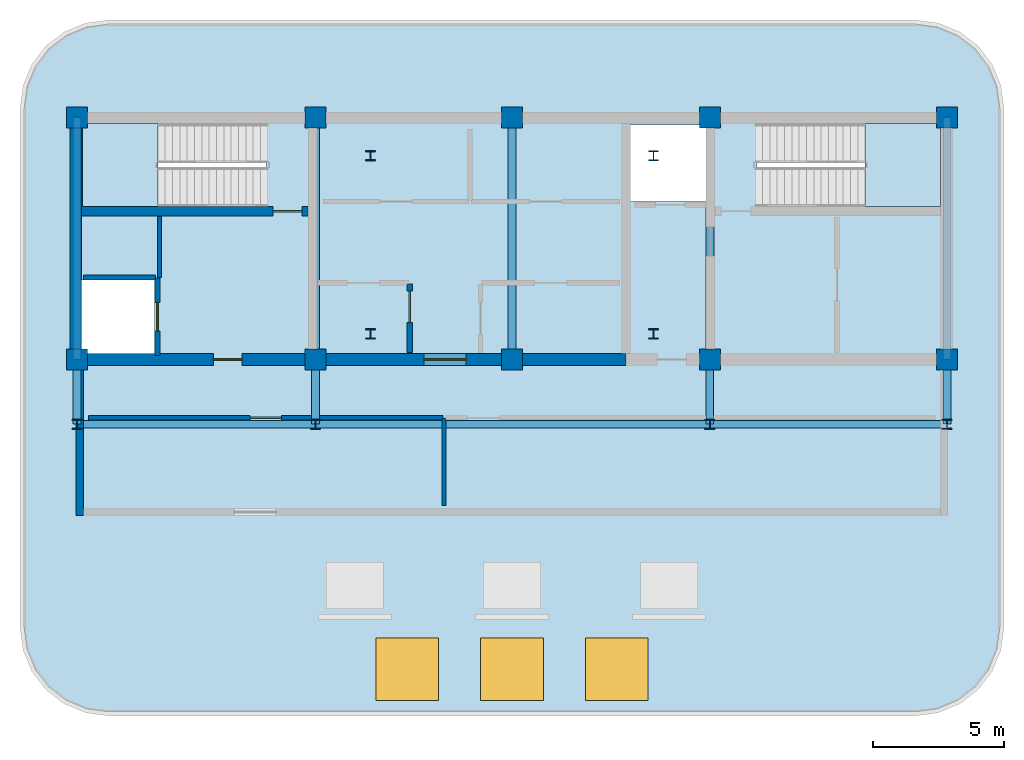
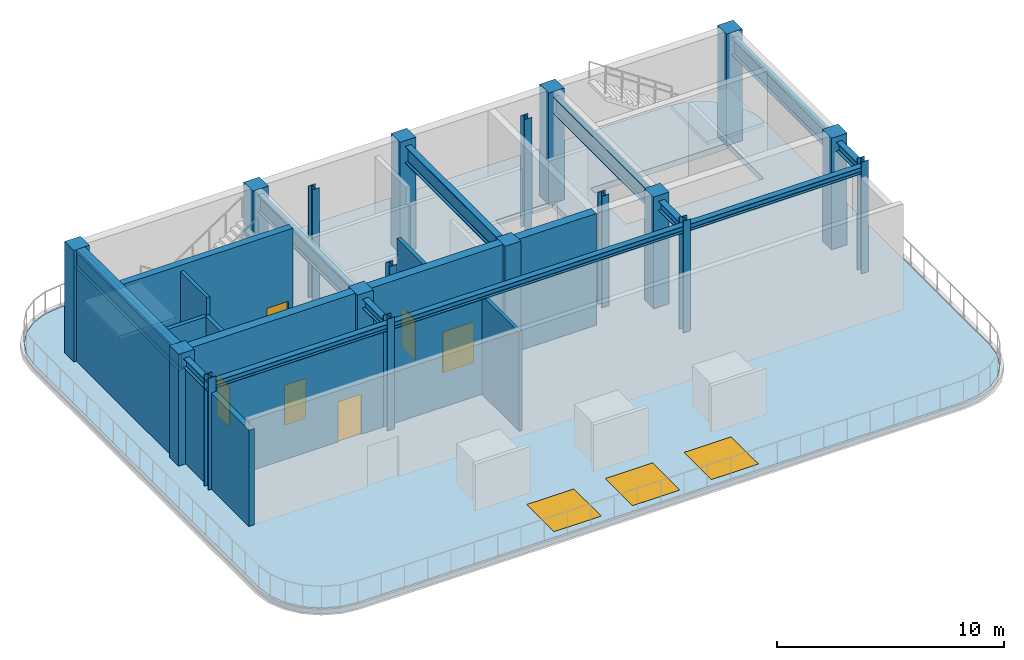
# One storey, part 1 of 4: 18 columns, 12 beams, 11 walls, 6 doors, 3 slabs, 3 windows, 9 openings, 2 elements without a shape of their own.
"""IFC4 building model written with IfcOpenShell, lengths in metres."""

import ifcopenshell
import ifcopenshell.guid

model = None  # the IFC model being written
_history = None  # IfcOwnerHistory: only IFC2X3 demands one
_inside = {}  # id of a spatial element -> (the spatial element, [elements in it])
_under = {}  # id of a project, library or spatial element -> (it, [spatial elements below it])
_declared = {}  # id of a project -> (the project, [libraries it declares])
_typed = {}  # id of a type object -> (the type object, [elements of that type])
_made_of = {}  # id of a material, layer set ... -> (it, [elements and type objects made of it])


def new_model(schema):
    """Start an empty IFC model of exactly this schema.

    Asked for "IFC4X3", IfcOpenShell would pick the latest addendum, in which some entities
    have other attributes; the version numbers below select the first issue.
    IFC2X3 requires an IfcOwnerHistory on every rooted entity: one is made here for all.
    """
    global model, _history
    if schema == "IFC4X3":
        model = ifcopenshell.file(schema_version=(4, 3, 0, 0))
    else:
        model = ifcopenshell.file(schema=schema)
    _inside.clear()
    _under.clear()
    _declared.clear()
    _typed.clear()
    _made_of.clear()
    _history = None
    if model.schema == "IFC2X3":
        org = make("IfcOrganization", Name="unknown")
        user = make(
            "IfcPersonAndOrganization",
            ThePerson=make("IfcPerson", FamilyName="unknown"),
            TheOrganization=org,
        )
        app = make(
            "IfcApplication",
            ApplicationDeveloper=org,
            Version="unknown",
            ApplicationFullName="unknown",
            ApplicationIdentifier="unknown",
        )
        _history = make(
            "IfcOwnerHistory",
            OwningUser=user,
            OwningApplication=app,
            ChangeAction="ADDED",
            CreationDate=0,
        )
    return model


def make(cls, **values):
    """One entity of the class cls with the attributes given. An attribute that is None is left unset."""
    return model.create_entity(
        cls, **{name: value for name, value in values.items() if value is not None}
    )


def rooted(cls, **values):
    """An entity with a GlobalId (a new one), such as an element, a storey or a relation."""
    return make(cls, GlobalId=ifcopenshell.guid.new(), OwnerHistory=_history, **values)


def si_unit(unit_type, name, prefix=None):
    """IfcSIUnit, for example si_unit("LENGTHUNIT", "METRE", prefix="MILLI")."""
    return make("IfcSIUnit", UnitType=unit_type, Prefix=prefix, Name=name)


def assignment(units):
    """IfcUnitAssignment: the units of a project."""
    return None if units is None else make("IfcUnitAssignment", Units=units)


def point(xyz):
    """IfcCartesianPoint."""
    return None if xyz is None else make("IfcCartesianPoint", Coordinates=xyz)


def direction(xyz):
    """IfcDirection."""
    return None if xyz is None else make("IfcDirection", DirectionRatios=xyz)


def frame(location, z_axis=None, x_axis=None):
    """IfcAxis2Placement3D, a coordinate frame: its origin and axes. An axis left out is left unset."""
    return make(
        "IfcAxis2Placement3D",
        Location=point(location),
        Axis=direction(z_axis),
        RefDirection=direction(x_axis),
    )


def frame_2d(location, x_axis=None):
    """IfcAxis2Placement2D, a coordinate frame in the plane: its origin and x axis."""
    return make(
        "IfcAxis2Placement2D", Location=point(location), RefDirection=direction(x_axis)
    )


def origin():
    """The frame at (0, 0, 0) with its axes left unset."""
    return frame((0.0, 0.0, 0.0))


def origin_2d():
    """The frame at (0, 0) in the plane with its x axis left unset."""
    return frame_2d((0.0, 0.0))


def place(relative_to, where):
    """IfcLocalPlacement: puts the frame where relative to a parent placement (None: the world)."""
    return make(
        "IfcLocalPlacement", PlacementRelTo=relative_to, RelativePlacement=where
    )


def context(
    kind, dimensions, precision=None, world=None, true_north=None, identifier=None
):
    """IfcGeometricRepresentationContext, for example the 3D "Model" context."""
    return make(
        "IfcGeometricRepresentationContext",
        ContextIdentifier=identifier,
        ContextType=kind,
        CoordinateSpaceDimension=dimensions,
        Precision=precision,
        WorldCoordinateSystem=world,
        TrueNorth=true_north,
    )


def subcontext(parent, identifier, kind, view, scale=None):
    """IfcGeometricRepresentationSubContext, for example "Body" below "Model"."""
    return make(
        "IfcGeometricRepresentationSubContext",
        ContextIdentifier=identifier,
        ContextType=kind,
        ParentContext=parent,
        TargetScale=scale,
        TargetView=view,
    )


def project(units=None, contexts=None):
    """IfcProject with its units and contexts."""
    return rooted(
        "IfcProject",
        Name="project",
        RepresentationContexts=contexts,
        UnitsInContext=assignment(units),
    )


def spatial(cls, under=None, at=None, **own):
    """A site, building, storey or space (cls), placed at a placement, below another one or the project."""
    s = rooted(cls, ObjectPlacement=at, **own)
    if under is not None:
        _under.setdefault(under.id(), (under, []))[1].append(s)
    return s


def polyline(points):
    """IfcPolyline through the points."""
    return make("IfcPolyline", Points=[point(p) for p in points])


def profile(cls, at=None, kind="AREA", **sizes):
    """A parametric profile (cls). Its sizes go by their IFC names, for example OverallWidth=200.0."""
    return make(cls, ProfileType=kind, Position=at, **sizes)


def rectangle(**sizes):
    """IfcRectangleProfileDef."""
    return profile("IfcRectangleProfileDef", **sizes)


def i_section(**sizes):
    """IfcIShapeProfileDef."""
    return profile("IfcIShapeProfileDef", **sizes)


def outline(outer, holes=None, kind="AREA"):
    """IfcArbitraryClosedProfileDef: a profile drawn as a closed curve; with holes, ...WithVoids."""
    if holes is None:
        return make("IfcArbitraryClosedProfileDef", ProfileType=kind, OuterCurve=outer)
    return make(
        "IfcArbitraryProfileDefWithVoids",
        ProfileType=kind,
        OuterCurve=outer,
        InnerCurves=holes,
    )


def extrude(swept, where, along, depth):
    """IfcExtrudedAreaSolid: the profile swept, set in the frame where, extruded along a direction by depth."""
    return make(
        "IfcExtrudedAreaSolid",
        SweptArea=swept,
        Position=where,
        ExtrudedDirection=direction(along),
        Depth=depth,
    )


def shape(context_of_items, identifier, shape_type, items):
    """IfcShapeRepresentation: the items that make up one representation, for example the "Body"."""
    return make(
        "IfcShapeRepresentation",
        ContextOfItems=context_of_items,
        RepresentationIdentifier=identifier,
        RepresentationType=shape_type,
        Items=items,
    )


def material(Name=None, Category=None):
    """IfcMaterial."""
    return make("IfcMaterial", Name=Name, Category=Category)


def layer(
    of_material, thickness, ventilated=None, Name=None, Category=None, Priority=None
):
    """IfcMaterialLayer: one layer of a wall or slab, of a material (None: an air gap)."""
    return make(
        "IfcMaterialLayer",
        Material=of_material,
        LayerThickness=thickness,
        IsVentilated=ventilated,
        Name=Name,
        Category=Category,
        Priority=Priority,
    )


def layer_set(layers, Name=None):
    """IfcMaterialLayerSet."""
    return make("IfcMaterialLayerSet", MaterialLayers=layers, LayerSetName=Name)


def material_profile(
    of_material, cross_section, Name=None, Category=None, Priority=None
):
    """IfcMaterialProfile: a cross section and its material."""
    return make(
        "IfcMaterialProfile",
        Name=Name,
        Material=of_material,
        Profile=cross_section,
        Priority=Priority,
        Category=Category,
    )


def profile_set(profiles, Name=None, composite=None):
    """IfcMaterialProfileSet."""
    return make(
        "IfcMaterialProfileSet",
        Name=Name,
        MaterialProfiles=profiles,
        CompositeProfile=composite,
    )


def made_of(thing, what):
    """Note that an element or type object is made of a material, layer set ...; save() writes the relation."""
    if what is not None:
        _made_of.setdefault(what.id(), (what, []))[1].append(thing)
    return thing


def type_object(cls, material=None, **own):
    """A type object (cls), such as IfcWallType, which elements share."""
    return made_of(rooted(cls, **own), material)


def element(
    cls,
    number,
    at=None,
    inside=None,
    cuts=None,
    type_object=None,
    material=None,
    context=None,
    identifier="Body",
    shape_type=None,
    held_by="IfcProductDefinitionShape",
    body=None,
    shapes=None,
    **own,
):
    """One element of the class cls, such as IfcWall. Its Tag is "e" and its number.

    at: its placement. inside: the storey or other place that contains it. cuts: it is an
    opening in that element (IfcRelVoidsElement). A single representation is given by context,
    identifier, shape_type and body (its items); several are given by shapes. held_by: the class
    of the entity that holds the representations. save() writes the other relations.
    """
    e = rooted(cls, Tag="e%d" % number, ObjectPlacement=at, **own)
    if body is not None:
        shapes = [shape(context, identifier, shape_type, body)]
    if shapes is not None:
        e.Representation = make(held_by, Representations=shapes)
    if inside is not None:
        _inside.setdefault(inside.id(), (inside, []))[1].append(e)
    if cuts is not None:
        rooted(
            "IfcRelVoidsElement", RelatingBuildingElement=cuts, RelatedOpeningElement=e
        )
    if type_object is not None:
        _typed.setdefault(type_object.id(), (type_object, []))[1].append(e)
    return made_of(e, material)


def fill(opening, filler):
    """IfcRelFillsElement: the door or window that sits in an opening."""
    return rooted(
        "IfcRelFillsElement",
        RelatingOpeningElement=opening,
        RelatedBuildingElement=filler,
    )


def aggregate(whole, parts):
    """IfcRelAggregates: a whole, such as a stair, and the parts it consists of."""
    return rooted("IfcRelAggregates", RelatingObject=whole, RelatedObjects=parts)


def save(model, path):
    """Write the relations noted so far, then the file.

    IfcRelAggregates (storeys below a building ...), IfcRelContainedInSpatialStructure (elements
    in a storey), IfcRelDefinesByType, IfcRelAssociatesMaterial and IfcRelDeclares: one each for
    every whole, place, type object, material and project.
    """
    for whole, parts in _under.values():
        aggregate(whole, parts)
    for where, things in _inside.values():
        rooted(
            "IfcRelContainedInSpatialStructure",
            RelatedElements=things,
            RelatingStructure=where,
        )
    for kind, things in _typed.values():
        rooted("IfcRelDefinesByType", RelatedObjects=things, RelatingType=kind)
    for what, things in _made_of.values():
        rooted("IfcRelAssociatesMaterial", RelatedObjects=things, RelatingMaterial=what)
    for by, libraries in _declared.values():
        rooted("IfcRelDeclares", RelatingContext=by, RelatedDefinitions=libraries)
    model.write(path)


model = new_model("IFC4")

# Units and contexts
model_context = context("Model", 3, precision=1e-05, world=origin(), true_north=direction((0.0, 1.0)))
body_context = subcontext(model_context, "Body", "Model", "MODEL_VIEW")
ifc_project = project(units=[si_unit("LENGTHUNIT", "METRE"), si_unit("AREAUNIT", "SQUARE_METRE"), si_unit("VOLUMEUNIT", "CUBIC_METRE"), si_unit("PLANEANGLEUNIT", "RADIAN"), si_unit("MASSUNIT", "GRAM", prefix="KILO")], contexts=[model_context])

# Site, building, storey
site_placement = place(None, origin())
site = spatial("IfcSite", under=ifc_project, at=site_placement, CompositionType="ELEMENT")
building_placement = place(site_placement, origin())
building = spatial("IfcBuilding", under=site, at=building_placement, Name="Zarnavel Station Tower", CompositionType="ELEMENT")
storey_placement = place(building_placement, frame((0.0, 0.0, 280.60009765625)))
storey = spatial("IfcBuildingStorey", under=building, at=storey_placement, Name="L76", CompositionType="ELEMENT", Elevation=280.60009765625)

# Columns
ifc_material_1 = material(Name="Steel S355J2", Category="steel")
ifc_material_profile_1 = material_profile(ifc_material_1, i_section(OverallWidth=0.3740234375, OverallDepth=0.3720703125, WebThickness=0.0166015625, FlangeThickness=0.027099609375, FilletRadius=0.014892578125, at=origin_2d()), Name="HD360x196")
ifc_profile_set_1 = profile_set([ifc_material_profile_1], Name="Steel S355J2")
column_type_1 = type_object("IfcColumnType", Name="IC_HD196", PredefinedType="COLUMN", material=ifc_profile_set_1)
for number, where, z_axis, x_axis, name in (
    (1, (23.39990234375, 28.800048828125, 0.0), (0.0, 0.0, 1.0), (1.0, 0.0, 0.0), "L76 Mast Spine Column 1"),
    (2, (34.199951171875, 28.800048828125, 0.0), (0.0, 0.0, 1.0), (1.0, 0.0, 0.0), "L76 Mast Spine Column 2"),
    (3, (34.199951171875, 35.60009765625, 0.0), (0.0, 0.0, 1.0), (1.0, 0.0, 0.0), "L76 Mast Spine Column 3"),
    (4, (23.39990234375, 35.60009765625, 0.0), (0.0, 0.0, 1.0), (1.0, 0.0, 0.0), "L76 Mast Spine Column 4"),
    (5, (12.199951171875, 25.35009765625, 0.0), (0.0, 0.0, 1.0), (1.0, 0.0, 0.0), "L76 Inner Spine Column 1"),
    (6, (21.300048828125, 25.35009765625, 0.0), (0.0, 0.0, 1.0), (1.0, 0.0, 0.0), "L76 Inner Spine Column 2"),
    (7, (36.35009765625, 25.35009765625, 0.0), (0.0, 0.0, 1.0), (1.0, 0.0, 0.0), "L76 Inner Spine Column 4"),
    (8, (45.39990234375, 25.35009765625, 0.0), (0.0, 0.0, 1.0), (1.0, 0.0, 0.0), "L76 Inner Spine Column 5"),
):
    element("IfcColumn", number, at=place(storey_placement, frame(where, z_axis=z_axis, x_axis=x_axis)), inside=storey, type_object=column_type_1, Name=name, PredefinedType="COLUMN", context=body_context, shape_type="SweptSolid", body=[
        extrude(i_section(OverallWidth=0.3740234375, OverallDepth=0.3720703125, WebThickness=0.0166015625, FlangeThickness=0.027099609375, FilletRadius=0.014892578125, at=origin_2d()), origin(), (0.0, 0.0, 1.0), 6.0),
    ])
ifc_material_2 = material(Name="Concrete C45/55", Category="concrete")
ifc_material_profile_2 = material_profile(ifc_material_2, rectangle(XDim=0.800048828125, YDim=0.800048828125, at=origin_2d()), Name="RC800x800")
ifc_profile_set_2 = profile_set([ifc_material_profile_2], Name="Concrete C45/55")
column_type_2 = type_object("IfcColumnType", Name="IC_RC800", PredefinedType="COLUMN", material=ifc_profile_set_2)
for number, where, z_axis, x_axis, name in (
    (9, (12.199951171875, 27.820068359375, 0.0), (0.0, 0.0, 1.0), (1.0, 0.0, 0.0), "L76 Core Spine Column 1-1"),
    (10, (12.199951171875, 37.050048828125, 0.0), (0.0, 0.0, 1.0), (1.0, 0.0, 0.0), "L76 Core Spine Column 1-2"),
    (11, (21.300048828125, 27.820068359375, 0.0), (0.0, 0.0, 1.0), (1.0, 0.0, 0.0), "L76 Core Spine Column 2-1"),
    (12, (21.300048828125, 37.050048828125, 0.0), (0.0, 0.0, 1.0), (1.0, 0.0, 0.0), "L76 Core Spine Column 2-2"),
    (13, (28.800048828125, 27.820068359375, 0.0), (0.0, 0.0, 1.0), (1.0, 0.0, 0.0), "L76 Core Spine Column 3-1"),
    (14, (28.800048828125, 37.050048828125, 0.0), (0.0, 0.0, 1.0), (1.0, 0.0, 0.0), "L76 Core Spine Column 3-2"),
    (15, (36.35009765625, 27.820068359375, 0.0), (0.0, 0.0, 1.0), (1.0, 0.0, 0.0), "L76 Core Spine Column 4-1"),
    (16, (36.35009765625, 37.050048828125, 0.0), (0.0, 0.0, 1.0), (1.0, 0.0, 0.0), "L76 Core Spine Column 4-2"),
    (17, (45.39990234375, 27.820068359375, 0.0), (0.0, 0.0, 1.0), (1.0, 0.0, 0.0), "L76 Core Spine Column 5-1"),
    (18, (45.39990234375, 37.050048828125, 0.0), (0.0, 0.0, 1.0), (1.0, 0.0, 0.0), "L76 Core Spine Column 5-2"),
):
    element("IfcColumn", number, at=place(storey_placement, frame(where, z_axis=z_axis, x_axis=x_axis)), inside=storey, type_object=column_type_2, Name=name, PredefinedType="COLUMN", context=body_context, shape_type="SweptSolid", body=[
        extrude(rectangle(XDim=0.800048828125, YDim=0.800048828125, at=origin_2d()), origin(), (0.0, 0.0, 1.0), 6.0),
    ])

# Beams
ifc_material_3 = material(Name="Steel S355J2", Category="steel")
ifc_material_profile_3 = material_profile(ifc_material_3, i_section(OverallWidth=0.300048828125, OverallDepth=0.360107421875, WebThickness=0.012451171875, FlangeThickness=0.0224609375, FilletRadius=0.027099609375, at=origin_2d()), Name="HEB360")
ifc_profile_set_3 = profile_set([ifc_material_profile_3], Name="Steel S355J2")
beam_type_1 = type_object("IfcBeamType", Name="EB_HEB360", PredefinedType="SPANDREL", material=ifc_profile_set_3)
beam_1_placement = place(storey_placement, frame((12.199951171875, 25.35009765625, 5.52001953125), z_axis=(1.0, 0.0, 0.0), x_axis=(0.0, 1.0, 0.0)))
element("IfcBeam", 19, at=beam_1_placement, inside=storey, type_object=beam_type_1, Name="L76 Crown Ring West", PredefinedType="SPANDREL", context=body_context, shape_type="SweptSolid", body=[
    extrude(i_section(OverallWidth=0.300048828125, OverallDepth=0.360107421875, WebThickness=0.012451171875, FlangeThickness=0.0224609375, FilletRadius=0.027099609375, at=origin_2d()), origin(), (0.0, 0.0, 1.0), 9.10009765625),
])
beam_2_placement = place(storey_placement, frame((21.300048828125, 25.35009765625, 5.52001953125), z_axis=(1.0, 0.0, 0.0), x_axis=(0.0, 1.0, 0.0)))
element("IfcBeam", 20, at=beam_2_placement, inside=storey, type_object=beam_type_1, Name="L76 Crown Ring Mid", PredefinedType="SPANDREL", context=body_context, shape_type="SweptSolid", body=[
    extrude(i_section(OverallWidth=0.300048828125, OverallDepth=0.360107421875, WebThickness=0.012451171875, FlangeThickness=0.0224609375, FilletRadius=0.027099609375, at=origin_2d()), origin(), (0.0, 0.0, 1.0), 15.050048828125),
])
beam_3_placement = place(storey_placement, frame((36.35009765625, 25.35009765625, 5.52001953125), z_axis=(1.0, 0.0, 0.0), x_axis=(0.0, 1.0, 0.0)))
element("IfcBeam", 21, at=beam_3_placement, inside=storey, type_object=beam_type_1, Name="L76 Crown Ring East", PredefinedType="SPANDREL", context=body_context, shape_type="SweptSolid", body=[
    extrude(i_section(OverallWidth=0.300048828125, OverallDepth=0.360107421875, WebThickness=0.012451171875, FlangeThickness=0.0224609375, FilletRadius=0.027099609375, at=origin_2d()), origin(), (0.0, 0.0, 1.0), 9.0498046875),
])
ifc_material_4 = material(Name="Steel S355J2", Category="steel")
ifc_material_profile_4 = material_profile(ifc_material_4, i_section(OverallWidth=0.300048828125, OverallDepth=0.5, WebThickness=0.014404296875, FlangeThickness=0.028076171875, FilletRadius=0.027099609375, at=origin_2d()), Name="HEB500")
ifc_profile_set_4 = profile_set([ifc_material_profile_4], Name="Steel S355J2")
beam_type_2 = type_object("IfcBeamType", Name="FG_HEB500", PredefinedType="USERDEFINED", material=ifc_profile_set_4)
for number, where, z_axis, x_axis, name in (
    (22, (12.199951171875, 25.35009765625, 5.449951171875), (0.0, 1.0, 0.0), (-1.0, 0.0, 0.0), "L76 Crown Radial Girder 1"),
    (23, (21.300048828125, 25.35009765625, 5.449951171875), (0.0, 1.0, 0.0), (-1.0, 0.0, 0.0), "L76 Crown Radial Girder 2"),
    (24, (36.35009765625, 25.35009765625, 5.449951171875), (0.0, 1.0, 0.0), (-1.0, 0.0, 0.0), "L76 Crown Radial Girder 3"),
    (25, (45.39990234375, 25.35009765625, 5.449951171875), (0.0, 1.0, 0.0), (-1.0, 0.0, 0.0), "L76 Crown Radial Girder 4"),
):
    element("IfcBeam", number, at=place(storey_placement, frame(where, z_axis=z_axis, x_axis=x_axis)), inside=storey, type_object=beam_type_2, Name=name, ObjectType="GIRDER", PredefinedType="USERDEFINED", context=body_context, shape_type="SweptSolid", body=[
        extrude(i_section(OverallWidth=0.300048828125, OverallDepth=0.5, WebThickness=0.014404296875, FlangeThickness=0.028076171875, FilletRadius=0.027099609375, at=origin_2d()), origin(), (0.0, 0.0, 1.0), 2.469970703125),
    ])
ifc_material_5 = material(Name="Steel S460M", Category="steel")
ifc_material_profile_5 = material_profile(ifc_material_5, i_section(OverallWidth=0.302001953125, OverallDepth=0.909912109375, WebThickness=0.02099609375, FlangeThickness=0.0400390625, FilletRadius=0.030029296875, at=origin_2d()), Name="HEM900")
ifc_profile_set_5 = profile_set([ifc_material_profile_5], Name="Steel S460M")
beam_type_3 = type_object("IfcBeamType", Name="TG_HEM900", PredefinedType="USERDEFINED", material=ifc_profile_set_5)
for number, where, z_axis, x_axis, name in (
    (26, (12.199951171875, 27.820068359375, 5.244873046875), (0.0, 1.0, 0.0), (-1.0, 0.0, 0.0), "L76 Core Spine Coupling Girder 1"),
    (27, (21.300048828125, 27.820068359375, 5.244873046875), (0.0, 1.0, 0.0), (-1.0, 0.0, 0.0), "L76 Core Spine Coupling Girder 2"),
    (28, (28.800048828125, 27.820068359375, 5.244873046875), (0.0, 1.0, 0.0), (-1.0, 0.0, 0.0), "L76 Core Spine Coupling Girder 3"),
    (29, (36.35009765625, 27.820068359375, 5.244873046875), (0.0, 1.0, 0.0), (-1.0, 0.0, 0.0), "L76 Core Spine Coupling Girder 4"),
    (30, (45.39990234375, 27.820068359375, 5.244873046875), (0.0, 1.0, 0.0), (-1.0, 0.0, 0.0), "L76 Core Spine Coupling Girder 5"),
):
    element("IfcBeam", number, at=place(storey_placement, frame(where, z_axis=z_axis, x_axis=x_axis)), inside=storey, type_object=beam_type_3, Name=name, ObjectType="GIRDER", PredefinedType="USERDEFINED", context=body_context, shape_type="SweptSolid", body=[
        extrude(i_section(OverallWidth=0.302001953125, OverallDepth=0.909912109375, WebThickness=0.02099609375, FlangeThickness=0.0400390625, FilletRadius=0.030029296875, at=origin_2d()), origin(), (0.0, 0.0, 1.0), 9.22998046875),
    ])

# Slab, openings, windows
ifc_material_6 = material(Name="Concrete C45/55", Category="concrete")
ifc_layer_1 = layer(ifc_material_6, 0.320068359375)
ifc_layer_set_1 = layer_set([ifc_layer_1], Name="SL_FLR_320")
slab_type_1 = type_object("IfcSlabType", Name="SL_FLR_320", PredefinedType="FLOOR", material=ifc_layer_set_1)
slab_1_placement = place(storey_placement, frame((0.0, 0.0, -0.320068359375)))
slab_1 = element("IfcSlab", 31, at=slab_1_placement, inside=storey, type_object=slab_type_1, Name="L76 Structural Floor Slab", PredefinedType="FLOOR", context=body_context, shape_type="SweptSolid", body=[
    extrude(outline(polyline([(44.199951171875, 14.39990234375), (45.0283203125, 14.509033203125), (45.800048828125, 14.82861328125), (46.462646484375, 15.33740234375), (46.97119140625, 16.0), (47.291015625, 16.771728515625), (47.39990234375, 17.60009765625), (47.39990234375, 37.39990234375), (47.291015625, 38.228271484375), (46.97119140625, 39.0), (46.462646484375, 39.66259765625), (45.800048828125, 40.17138671875), (45.0283203125, 40.490966796875), (44.199951171875, 40.60009765625), (13.39990234375, 40.60009765625), (12.57177734375, 40.490966796875), (11.800048828125, 40.17138671875), (11.13720703125, 39.66259765625), (10.628662109375, 39.0), (10.30908203125, 38.228271484375), (10.199951171875, 37.39990234375), (10.199951171875, 17.60009765625), (10.30908203125, 16.771728515625), (10.628662109375, 16.0), (11.13720703125, 15.33740234375), (11.800048828125, 14.82861328125), (12.57177734375, 14.509033203125), (13.39990234375, 14.39990234375), (44.199951171875, 14.39990234375)]), holes=[polyline([(12.39990234375, 33.659912109375), (19.409912109375, 33.659912109375), (19.409912109375, 36.820068359375), (12.39990234375, 36.820068359375), (12.39990234375, 33.659912109375)]), polyline([(38.14990234375, 33.659912109375), (45.159912109375, 33.659912109375), (45.159912109375, 36.820068359375), (38.14990234375, 36.820068359375), (38.14990234375, 33.659912109375)]), polyline([(12.35009765625, 27.949951171875), (15.14990234375, 27.949951171875), (15.14990234375, 30.85009765625), (12.35009765625, 30.85009765625), (12.35009765625, 27.949951171875)]), polyline([(33.320068359375, 33.85009765625), (36.2099609375, 33.85009765625), (36.2099609375, 36.780029296875), (33.320068359375, 36.780029296875), (33.320068359375, 33.85009765625)]), polyline([(23.60009765625, 14.800048828125), (26.0, 14.800048828125), (26.0, 17.199951171875), (23.60009765625, 17.199951171875), (23.60009765625, 14.800048828125)]), polyline([(27.60009765625, 14.800048828125), (30.0, 14.800048828125), (30.0, 17.199951171875), (27.60009765625, 17.199951171875), (27.60009765625, 14.800048828125)]), polyline([(31.60009765625, 14.800048828125), (34.0, 14.800048828125), (34.0, 17.199951171875), (31.60009765625, 17.199951171875), (31.60009765625, 14.800048828125)])]), origin(), (0.0, 0.0, 1.0), 0.320068359375),
])
opening_1_placement = place(slab_1_placement, frame((24.800048828125, 16.0, 0.0)))
opening_1 = element("IfcOpeningElement", 32, at=opening_1_placement, cuts=slab_1, Name="Opening SK01", PredefinedType="OPENING", context=body_context, shape_type="SweptSolid", body=[
    extrude(rectangle(XDim=2.39990234375, YDim=2.39990234375, at=origin_2d()), origin(), (0.0, 0.0, 1.0), 0.320068359375),
])
opening_2_placement = place(slab_1_placement, frame((28.800048828125, 16.0, 0.0)))
opening_2 = element("IfcOpeningElement", 33, at=opening_2_placement, cuts=slab_1, Name="Opening SK01", PredefinedType="OPENING", context=body_context, shape_type="SweptSolid", body=[
    extrude(rectangle(XDim=2.39990234375, YDim=2.39990234375, at=origin_2d()), origin(), (0.0, 0.0, 1.0), 0.320068359375),
])
opening_3_placement = place(slab_1_placement, frame((32.800048828125, 16.0, 0.0)))
opening_3 = element("IfcOpeningElement", 34, at=opening_3_placement, cuts=slab_1, Name="Opening SK01", PredefinedType="OPENING", context=body_context, shape_type="SweptSolid", body=[
    extrude(rectangle(XDim=2.39990234375, YDim=2.39990234375, at=origin_2d()), origin(), (0.0, 0.0, 1.0), 0.320068359375),
])
ifc_material_7 = material(Name="Thermally Broken Black Aluminium and Low-E Dark Glass", Category="aluminium")
window_type = type_object("IfcWindowType", Name="SK_2400x2400", PartitioningType="SINGLE_PANEL", PredefinedType="SKYLIGHT", material=ifc_material_7)
window_1_placement = place(opening_1_placement, frame((0.0, 0.0, 0.27001953125)))
window_1 = element("IfcWindow", 35, at=window_1_placement, inside=storey, type_object=window_type, Name="Atrium Head Skylight 1", OverallHeight=2.39990234375, OverallWidth=2.39990234375, PartitioningType="SINGLE_PANEL", PredefinedType="SKYLIGHT", context=body_context, shape_type="SweptSolid", body=[
    extrude(rectangle(XDim=2.39990234375, YDim=2.39990234375, at=origin_2d()), origin(), (0.0, 0.0, 1.0), 0.050048828125),
])
fill(opening_1, window_1)
window_2_placement = place(opening_2_placement, frame((0.0, 0.0, 0.27001953125)))
window_2 = element("IfcWindow", 36, at=window_2_placement, inside=storey, type_object=window_type, Name="Atrium Head Skylight 2", OverallHeight=2.39990234375, OverallWidth=2.39990234375, PartitioningType="SINGLE_PANEL", PredefinedType="SKYLIGHT", context=body_context, shape_type="SweptSolid", body=[
    extrude(rectangle(XDim=2.39990234375, YDim=2.39990234375, at=origin_2d()), origin(), (0.0, 0.0, 1.0), 0.050048828125),
])
fill(opening_2, window_2)
window_3_placement = place(opening_3_placement, frame((0.0, 0.0, 0.27001953125)))
window_3 = element("IfcWindow", 37, at=window_3_placement, inside=storey, type_object=window_type, Name="Atrium Head Skylight 3", OverallHeight=2.39990234375, OverallWidth=2.39990234375, PartitioningType="SINGLE_PANEL", PredefinedType="SKYLIGHT", context=body_context, shape_type="SweptSolid", body=[
    extrude(rectangle(XDim=2.39990234375, YDim=2.39990234375, at=origin_2d()), origin(), (0.0, 0.0, 1.0), 0.050048828125),
])
fill(opening_3, window_3)

# Stair, slab
ifc_material_8 = material(Name="Concrete C45/55", Category="concrete")
stair_type = type_object("IfcStairType", Name="ST_CORE_150", PredefinedType="HALF_TURN_STAIR", material=ifc_material_8)
stair_1_placement = place(storey_placement, origin())
stair_1 = element("IfcStair", 38, at=stair_1_placement, inside=storey, type_object=stair_type, Name="L76 Core Exit Stair ST1", PredefinedType="HALF_TURN_STAIR")
ifc_material_9 = material(Name="Concrete C45/55", Category="concrete")
ifc_layer_2 = layer(ifc_material_9, 0.199951171875)
ifc_layer_set_2 = layer_set([ifc_layer_2], Name="SL_STAIR_LAND_200")
slab_type_2 = type_object("IfcSlabType", Name="SL_STAIR_LAND_200", PredefinedType="LANDING", material=ifc_layer_set_2)
slab_2_placement = place(storey_placement, frame((0.0, 0.0, 2.7998046875)))
slab_2 = element("IfcSlab", 39, at=slab_2_placement, type_object=slab_type_2, Name="ST1 landing 1", PredefinedType="LANDING", context=body_context, shape_type="SweptSolid", body=[
    extrude(outline(polyline([(15.280029296875, 36.820068359375), (12.39990234375, 36.820068359375), (12.39990234375, 33.659912109375), (15.280029296875, 33.659912109375), (15.280029296875, 36.820068359375)])), origin(), (0.0, 0.0, 1.0), 0.2001953125),
])
aggregate(stair_1, [slab_2])

stair_2_placement = place(storey_placement, origin())
stair_2 = element("IfcStair", 40, at=stair_2_placement, inside=storey, type_object=stair_type, Name="L76 Core Exit Stair ST2", PredefinedType="HALF_TURN_STAIR")
slab_3_placement = place(storey_placement, frame((0.0, 0.0, 2.7998046875)))
slab_3 = element("IfcSlab", 41, at=slab_3_placement, type_object=slab_type_2, Name="ST2 landing 1", PredefinedType="LANDING", context=body_context, shape_type="SweptSolid", body=[
    extrude(outline(polyline([(42.280029296875, 33.659912109375), (45.159912109375, 33.659912109375), (45.159912109375, 36.820068359375), (42.280029296875, 36.820068359375), (42.280029296875, 33.659912109375)])), origin(), (0.0, 0.0, 1.0), 0.2001953125),
])
aggregate(stair_2, [slab_3])

# Wall, opening, door
ifc_material_10 = material(Name="Concrete C50/60", Category="concrete")
ifc_layer_3 = layer(ifc_material_10, 0.35009765625)
ifc_layer_set_3 = layer_set([ifc_layer_3], Name="CW_350")
wall_type_1 = type_object("IfcWallType", Name="CW_350", PredefinedType="SHEAR", material=ifc_layer_set_3)
wall_1_placement = place(storey_placement, frame((21.0048828125, 33.47998046875, 0.0), z_axis=(0.0, 0.0, 1.0), x_axis=(-1.0, 0.0, 0.0)))
wall_1 = element("IfcWall", 42, at=wall_1_placement, inside=storey, type_object=wall_type_1, Name="L76 Rear Core Shear Wall DIV-H1", PredefinedType="SHEAR", context=body_context, shape_type="SweptSolid", body=[
    extrude(rectangle(XDim=8.6298828125, YDim=0.35009765625, at=frame_2d((4.31494140625, 0.0))), origin(), (0.0, 0.0, 1.0), 6.0),
])
opening_4_placement = place(wall_1_placement, frame((0.219970703125, 0.0, 0.0)))
opening_4 = element("IfcOpeningElement", 43, at=opening_4_placement, cuts=wall_1, Name="Opening FD01", PredefinedType="OPENING", context=body_context, shape_type="SweptSolid", body=[
    extrude(rectangle(XDim=1.10009765625, YDim=2.14990234375, at=frame_2d((0.550048828125, 1.074951171875))), frame((0.0, 0.18505859375, 0.0), z_axis=(0.0, -1.0, 0.0), x_axis=(1.0, 0.0, 0.0)), (0.0, 0.0, 1.0), 0.3701171875),
])
ifc_material_11 = material(Name="Painted Galvanised Steel and Hardwood Leaf", Category="steel")
door_type_1 = type_object("IfcDoorType", Name="ID_STAIR_1100", OperationType="NOTDEFINED", PredefinedType="DOOR", material=ifc_material_11)
door_1_placement = place(opening_4_placement, origin())
door_1 = element("IfcDoor", 44, at=door_1_placement, inside=storey, type_object=door_type_1, Name="L76 Stair ST1 Lobby Fire Door", OperationType="SINGLE_SWING_LEFT", OverallHeight=2.14990234375, OverallWidth=1.10009765625, PredefinedType="DOOR", context=body_context, shape_type="SweptSolid", body=[
    extrude(rectangle(XDim=1.10009765625, YDim=2.14990234375, at=frame_2d((0.550048828125, 1.074951171875))), frame((0.0, 0.02490234375, 0.0), z_axis=(0.0, -1.0, 0.0), x_axis=(1.0, 0.0, 0.0)), (0.0, 0.0, 1.0), 0.050048828125),
])
fill(opening_4, door_1)

ifc_material_12 = material(Name="Concrete C50/60", Category="concrete")
ifc_layer_4 = layer(ifc_material_12, 0.449951171875)
ifc_layer_set_4 = layer_set([ifc_layer_4], Name="CW_450")
wall_type_2 = type_object("IfcWallType", Name="CW_450", PredefinedType="SHEAR", material=ifc_layer_set_4)
wall_2_placement = place(storey_placement, frame((21.179931640625, 27.820068359375, 0.0), z_axis=(0.0, 0.0, 1.0), x_axis=(-1.0, 0.0, 0.0)))
wall_2 = element("IfcWall", 45, at=wall_2_placement, inside=storey, type_object=wall_type_2, Name="L76 Rear Core Shear Wall S-W", PredefinedType="SHEAR", context=body_context, shape_type="SweptSolid", body=[
    extrude(rectangle(XDim=9.030029296875, YDim=0.449951171875, at=frame_2d((4.51513671875, 0.0))), origin(), (0.0, 0.0, 1.0), 6.0),
])
opening_5_placement = place(wall_2_placement, frame((2.679931640625, 0.0, 0.0)))
opening_5 = element("IfcOpeningElement", 46, at=opening_5_placement, cuts=wall_2, Name="Opening FD01", PredefinedType="OPENING", context=body_context, shape_type="SweptSolid", body=[
    extrude(rectangle(XDim=1.10009765625, YDim=2.14990234375, at=frame_2d((0.550048828125, 1.074951171875))), frame((0.0, 0.23486328125, 0.0), z_axis=(0.0, -1.0, 0.0), x_axis=(1.0, 0.0, 0.0)), (0.0, 0.0, 1.0), 0.469970703125),
])
door_2_placement = place(opening_5_placement, origin())
door_2 = element("IfcDoor", 47, at=door_2_placement, inside=storey, type_object=door_type_1, Name="L76 West Firefighting Lobby Door", OperationType="SINGLE_SWING_RIGHT", OverallHeight=2.14990234375, OverallWidth=1.10009765625, PredefinedType="DOOR", context=body_context, shape_type="SweptSolid", body=[
    extrude(rectangle(XDim=1.10009765625, YDim=2.14990234375, at=frame_2d((0.550048828125, 1.074951171875))), frame((0.0, 0.02490234375, 0.0), z_axis=(0.0, -1.0, 0.0), x_axis=(1.0, 0.0, 0.0)), (0.0, 0.0, 1.0), 0.050048828125),
])
fill(opening_5, door_2)

wall_3_placement = place(storey_placement, frame((33.14990234375, 27.820068359375, 0.0), z_axis=(0.0, 0.0, 1.0), x_axis=(-1.0, 0.0, 0.0)))
wall_3 = element("IfcWall", 48, at=wall_3_placement, inside=storey, type_object=wall_type_2, Name="L76 Rear Core Shear Wall S-M", PredefinedType="SHEAR", context=body_context, shape_type="SweptSolid", body=[
    extrude(rectangle(XDim=11.969970703125, YDim=0.449951171875, at=frame_2d((5.98486328125, 0.0))), origin(), (0.0, 0.0, 1.0), 6.0),
])
opening_6_placement = place(wall_3_placement, frame((6.10009765625, 0.0, 0.0)))
opening_6 = element("IfcOpeningElement", 49, at=opening_6_placement, cuts=wall_3, Name="Opening ID03", PredefinedType="OPENING", context=body_context, shape_type="SweptSolid", body=[
    extrude(rectangle(XDim=1.60009765625, YDim=2.199951171875, at=frame_2d((0.800048828125, 1.10009765625))), frame((0.0, 0.23486328125, 0.0), z_axis=(0.0, -1.0, 0.0), x_axis=(1.0, 0.0, 0.0)), (0.0, 0.0, 1.0), 0.469970703125),
])
ifc_material_13 = material(Name="Painted Galvanised Steel and Hardwood Leaf", Category="steel")
door_type_2 = type_object("IfcDoorType", Name="ID_PUBLIC_1600", OperationType="DOUBLE_DOOR_SINGLE_SWING", PredefinedType="DOOR", material=ifc_material_13)
door_3_placement = place(opening_6_placement, origin())
door_3 = element("IfcDoor", 50, at=door_3_placement, inside=storey, type_object=door_type_2, Name="L76 Passenger Lift Lobby Double Door", OperationType="SINGLE_SWING_LEFT", OverallHeight=2.199951171875, OverallWidth=1.60009765625, PredefinedType="DOOR", context=body_context, shape_type="SweptSolid", body=[
    extrude(rectangle(XDim=1.60009765625, YDim=2.199951171875, at=frame_2d((0.800048828125, 1.10009765625))), frame((0.0, 0.02490234375, 0.0), z_axis=(0.0, -1.0, 0.0), x_axis=(1.0, 0.0, 0.0)), (0.0, 0.0, 1.0), 0.050048828125),
])
fill(opening_6, door_3)

# Walls
wall_4_placement = place(storey_placement, frame((12.14990234375, 28.044921875, 0.0), z_axis=(0.0, 0.0, 1.0), x_axis=(0.0, 1.0, 0.0)))
element("IfcWall", 51, at=wall_4_placement, inside=storey, type_object=wall_type_2, Name="L76 Rear Core Shear Wall W", PredefinedType="SHEAR", context=body_context, shape_type="SweptSolid", body=[
    extrude(rectangle(XDim=8.780029296875, YDim=0.449951171875, at=frame_2d((4.39013671875, 0.0))), origin(), (0.0, 0.0, 1.0), 6.0),
])
ifc_material_14 = material(Name="Precast concrete C45/55 (Crown Drum Cladding)", Category="concrete")
ifc_layer_5 = layer(ifc_material_14, 0.280029296875)
ifc_layer_set_5 = layer_set([ifc_layer_5], Name="EW_DRUM_280")
wall_type_3 = type_object("IfcWallType", Name="EW_DRUM_280", PredefinedType="SOLIDWALL", material=ifc_layer_set_5)
wall_5_placement = place(storey_placement, frame((12.300048828125, 21.860107421875, 0.0), z_axis=(0.0, 0.0, 1.0), x_axis=(0.0, 1.0, 0.0)))
element("IfcWall", 52, at=wall_5_placement, inside=storey, type_object=wall_type_3, Name="L76 Turbine Plant W Wall", PredefinedType="SOLIDWALL", context=body_context, shape_type="SweptSolid", body=[
    extrude(rectangle(XDim=5.68994140625, YDim=0.280029296875, at=frame_2d((2.844970703125, 0.0))), origin(), (0.0, 0.0, 1.0), 5.179931640625),
])

# Wall, opening, door
ifc_material_15 = material(Name="Gypsum Twin-Stud Acoustic Fire Partition", Category="concrete")
ifc_layer_6 = layer(ifc_material_15, 0.159912109375)
ifc_layer_set_6 = layer_set([ifc_layer_6], Name="PT_DEMISE_160")
wall_type_4 = type_object("IfcWallType", Name="PT_DEMISE_160", PredefinedType="PARTITIONING", material=ifc_layer_set_6)
wall_6_placement = place(storey_placement, frame((12.639892578125, 25.60009765625, 0.0), z_axis=(0.0, 0.0, 1.0), x_axis=(1.0, 0.0, 0.0)))
wall_6 = element("IfcWall", 53, at=wall_6_placement, inside=storey, type_object=wall_type_4, Name="L76 Partition TCOR-SMKE", PredefinedType="PARTITIONING", context=body_context, shape_type="SweptSolid", body=[
    extrude(rectangle(XDim=13.52001953125, YDim=0.159912109375, at=frame_2d((6.760009765625, 0.0))), origin(), (0.0, 0.0, 1.0), 5.179931640625),
])
opening_7_placement = place(wall_6_placement, frame((6.159912109375, 0.0, 0.0)))
opening_7 = element("IfcOpeningElement", 54, at=opening_7_placement, cuts=wall_6, Name="Opening FD03", PredefinedType="OPENING", context=body_context, shape_type="SweptSolid", body=[
    extrude(rectangle(XDim=1.199951171875, YDim=2.14990234375, at=frame_2d((0.60009765625, 1.074951171875))), frame((0.0, 0.08984375, 0.0), z_axis=(0.0, -1.0, 0.0), x_axis=(1.0, 0.0, 0.0)), (0.0, 0.0, 1.0), 0.179931640625),
])
ifc_material_16 = material(Name="Painted Galvanised Steel and Hardwood Leaf", Category="steel")
door_type_3 = type_object("IfcDoorType", Name="ID_PLANT_1200", OperationType="NOTDEFINED", PredefinedType="DOOR", material=ifc_material_16)
door_4_placement = place(opening_7_placement, origin())
door_4 = element("IfcDoor", 55, at=door_4_placement, inside=storey, type_object=door_type_3, Name="L76 Door TCOR-SMKE", OperationType="SINGLE_SWING_LEFT", OverallHeight=2.14990234375, OverallWidth=1.199951171875, PredefinedType="DOOR", context=body_context, shape_type="SweptSolid", body=[
    extrude(rectangle(XDim=1.199951171875, YDim=2.14990234375, at=frame_2d((0.60009765625, 1.074951171875))), frame((0.0, 0.02490234375, 0.0), z_axis=(0.0, -1.0, 0.0), x_axis=(1.0, 0.0, 0.0)), (0.0, 0.0, 1.0), 0.050048828125),
])
fill(opening_7, door_4)

# Walls
wall_7_placement = place(storey_placement, frame((26.199951171875, 22.239990234375, 0.0), z_axis=(0.0, 0.0, 1.0), x_axis=(0.0, 1.0, 0.0)))
element("IfcWall", 56, at=wall_7_placement, inside=storey, type_object=wall_type_4, Name="L76 Partition SMKE-INV", PredefinedType="PARTITIONING", context=body_context, shape_type="SweptSolid", body=[
    extrude(rectangle(XDim=3.320068359375, YDim=0.159912109375, at=frame_2d((1.66015625, 0.0))), origin(), (0.0, 0.0, 1.0), 5.31982421875),
])
wall_8_placement = place(storey_placement, frame((15.35009765625, 30.9599609375, 0.0), z_axis=(0.0, 0.0, 1.0), x_axis=(0.0, 1.0, 0.0)))
element("IfcWall", 57, at=wall_8_placement, inside=storey, type_object=wall_type_4, Name="L76 Enclosure Wall FFL1", PredefinedType="PARTITIONING", context=body_context, shape_type="SweptSolid", body=[
    extrude(rectangle(XDim=2.31005859375, YDim=0.159912109375, at=frame_2d((1.155029296875, 0.0))), origin(), (0.0, 0.0, 1.0), 5.699951171875),
])

# Wall, opening, door
ifc_material_17 = material(Name="Precast concrete C45/55 (Fire Shaft Blockwork)", Category="masonry")
ifc_layer_7 = layer(ifc_material_17, 0.199951171875)
ifc_layer_set_7 = layer_set([ifc_layer_7], Name="PT_SHAFT_200")
wall_type_5 = type_object("IfcWallType", Name="PT_SHAFT_200", PredefinedType="PARTITIONING", material=ifc_layer_set_7)
wall_9_placement = place(storey_placement, frame((15.27001953125, 27.969970703125, 0.0), z_axis=(0.0, 0.0, 1.0), x_axis=(0.0, 1.0, 0.0)))
wall_9 = element("IfcWall", 58, at=wall_9_placement, inside=storey, type_object=wall_type_5, Name="L76 Lift FFL-01 Shaft Front Wall", PredefinedType="PARTITIONING", context=body_context, shape_type="SweptSolid", body=[
    extrude(rectangle(XDim=2.9599609375, YDim=0.199951171875, at=frame_2d((1.47998046875, 0.0))), origin(), (0.0, 0.0, 1.0), 4.77001953125),
])
opening_8_placement = place(wall_9_placement, frame((0.929931640625, 0.0, 0.0)))
opening_8 = element("IfcOpeningElement", 59, at=opening_8_placement, cuts=wall_9, Name="Opening LD01", PredefinedType="OPENING", context=body_context, shape_type="SweptSolid", body=[
    extrude(rectangle(XDim=1.10009765625, YDim=2.14990234375, at=frame_2d((0.550048828125, 1.074951171875))), frame((0.0, 0.10986328125, 0.0), z_axis=(0.0, -1.0, 0.0), x_axis=(1.0, 0.0, 0.0)), (0.0, 0.0, 1.0), 0.219970703125),
])
ifc_material_18 = material(Name="Painted Galvanised Steel and Hardwood Leaf", Category="steel")
door_type_4 = type_object("IfcDoorType", Name="LD_FF_1100", OperationType="DOUBLE_DOOR_SLIDING", PredefinedType="DOOR", material=ifc_material_18)
door_5_placement = place(opening_8_placement, origin())
door_5 = element("IfcDoor", 60, at=door_5_placement, inside=storey, type_object=door_type_4, Name="L76 Lift FFL-01 Sliding Landing Door", OperationType="DOUBLE_DOOR_SLIDING", OverallHeight=2.14990234375, OverallWidth=1.10009765625, PredefinedType="DOOR", context=body_context, shape_type="SweptSolid", body=[
    extrude(rectangle(XDim=1.10009765625, YDim=2.14990234375, at=frame_2d((0.550048828125, 1.074951171875))), frame((0.0, 0.02490234375, 0.0), z_axis=(0.0, -1.0, 0.0), x_axis=(1.0, 0.0, 0.0)), (0.0, 0.0, 1.0), 0.050048828125),
])
fill(opening_8, door_5)

# Wall
wall_10_placement = place(storey_placement, frame((12.449951171875, 30.949951171875, 0.0), z_axis=(0.0, 0.0, 1.0), x_axis=(1.0, 0.0, 0.0)))
element("IfcWall", 61, at=wall_10_placement, inside=storey, type_object=wall_type_5, Name="L76 Lift FFL-01 North Shaft Wall", PredefinedType="PARTITIONING", context=body_context, shape_type="SweptSolid", body=[
    extrude(rectangle(XDim=2.75, YDim=0.199951171875, at=frame_2d((1.375, 0.0))), origin(), (0.0, 0.0, 1.0), 4.77001953125),
])

# Wall, opening, door
wall_11_placement = place(storey_placement, frame((24.89990234375, 30.7099609375, 0.0), z_axis=(0.0, 0.0, 1.0), x_axis=(0.0, -1.0, 0.0)))
wall_11 = element("IfcWall", 62, at=wall_11_placement, inside=storey, type_object=wall_type_5, Name="L76 Partition LLOBS-CS1", PredefinedType="PARTITIONING", context=body_context, shape_type="SweptSolid", body=[
    extrude(rectangle(XDim=2.619873046875, YDim=0.199951171875, at=frame_2d((1.31005859375, 0.0))), origin(), (0.0, 0.0, 1.0), 5.699951171875),
])
opening_9_placement = place(wall_11_placement, frame((0.282470703125, 0.0, 0.0)))
opening_9 = element("IfcOpeningElement", 63, at=opening_9_placement, cuts=wall_11, Name="Opening FD03", PredefinedType="OPENING", context=body_context, shape_type="SweptSolid", body=[
    extrude(rectangle(XDim=1.199951171875, YDim=2.14990234375, at=frame_2d((0.60009765625, 1.074951171875))), frame((0.0, 0.10986328125, 0.0), z_axis=(0.0, -1.0, 0.0), x_axis=(1.0, 0.0, 0.0)), (0.0, 0.0, 1.0), 0.219970703125),
])
door_6_placement = place(opening_9_placement, origin())
door_6 = element("IfcDoor", 64, at=door_6_placement, inside=storey, type_object=door_type_3, Name="L76 Door LLOBS-CS1", OperationType="SINGLE_SWING_LEFT", OverallHeight=2.14990234375, OverallWidth=1.199951171875, PredefinedType="DOOR", context=body_context, shape_type="SweptSolid", body=[
    extrude(rectangle(XDim=1.199951171875, YDim=2.14990234375, at=frame_2d((0.60009765625, 1.074951171875))), frame((0.0, 0.02490234375, 0.0), z_axis=(0.0, -1.0, 0.0), x_axis=(1.0, 0.0, 0.0)), (0.0, 0.0, 1.0), 0.050048828125),
])
fill(opening_9, door_6)

save(model, "model.ifc")
